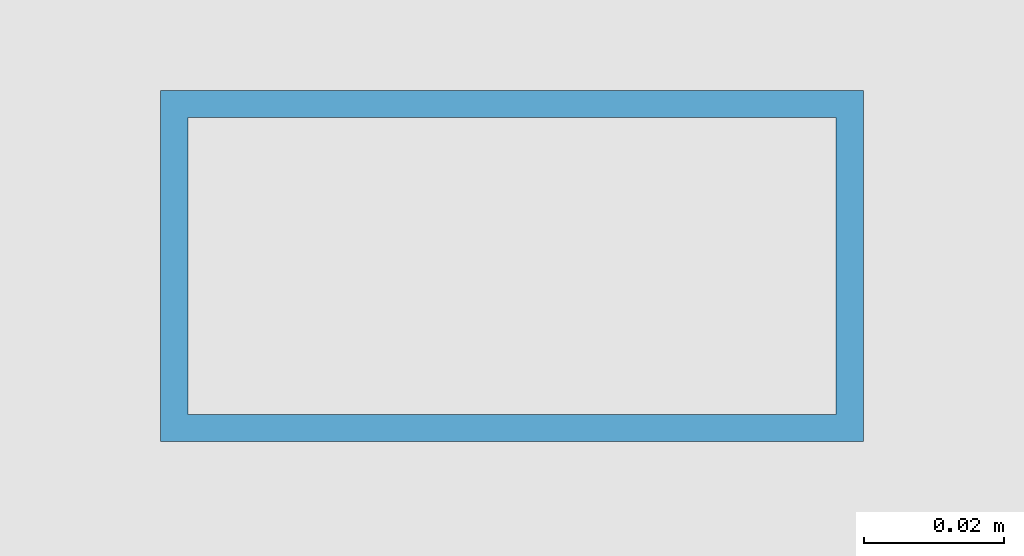
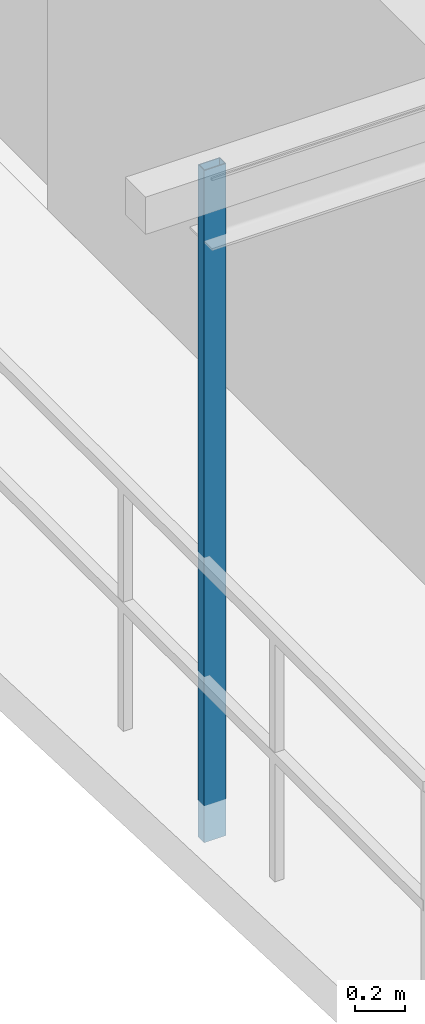
# One storey, part 3 of 15: 1 member.
"""IFC4 building model written with IfcOpenShell, lengths in metres."""

from ifc_helpers import new_model, si_unit, direction, frame, origin, origin_2d, place, context, subcontext, project, spatial, hollow_rectangle, extrude, source, transform, mapped, material, material_profile, profile_set, type_object, element, save


model = new_model("IFC4")

# Units and contexts
model_context = context("Model", 3, precision=1e-05, world=origin(), true_north=direction((0.0, 1.0)))
body_context = subcontext(model_context, "Body", "Model", "MODEL_VIEW")
ifc_project = project(units=[si_unit("LENGTHUNIT", "METRE"), si_unit("AREAUNIT", "SQUARE_METRE"), si_unit("VOLUMEUNIT", "CUBIC_METRE"), si_unit("PLANEANGLEUNIT", "RADIAN"), si_unit("MASSUNIT", "GRAM", prefix="KILO"), si_unit("THERMODYNAMICTEMPERATUREUNIT", "KELVIN"), si_unit("POWERUNIT", "WATT")], contexts=[model_context])

# Site, building, storey
site_placement = place(None, origin())
site = spatial("IfcSite", under=ifc_project, at=site_placement, CompositionType="ELEMENT")
building_placement = place(site_placement, origin())
building = spatial("IfcBuilding", under=site, at=building_placement, Name="Qiaomeng Ring Towers", CompositionType="ELEMENT")
storey_placement = place(building_placement, frame((0.0, 0.0, 213.25)))
storey = spatial("IfcBuildingStorey", under=building, at=storey_placement, Name="L62", CompositionType="ELEMENT", Elevation=213.25)

# Member
ifc_material = material(Name="Stainless steel 316", Category="steel")
ifc_material_profile = material_profile(ifc_material, hollow_rectangle(XDim=0.050048828125, YDim=0.10009765625, WallThickness=0.00390625, at=origin_2d()), Name="SS TRELLIS 100x50")
ifc_profile_set = profile_set([ifc_material_profile], Name="Stainless steel 316")
member_type = type_object("IfcMemberType", Name="ARC-TR-POST2", PredefinedType="STUD", material=ifc_profile_set)
shared_shape = source(origin(), body_context, "Body", "SweptSolid", [
    extrude(hollow_rectangle(XDim=0.050048828125, YDim=0.10009765625, WallThickness=0.00390625, at=origin_2d()), origin(), (0.0, 0.0, 1.0), 3.25),
])
member_placement = place(storey_placement, frame((0.72998046875, 20.0, -0.179931640625), z_axis=(0.0, 0.0, 1.0), x_axis=(0.0, 1.0, 0.0)))
element("IfcMember", 1, at=member_placement, inside=storey, type_object=member_type, Name="L62 Outer Ventilated Trellis Post W", PredefinedType="STUD", context=body_context, shape_type="MappedRepresentation", body=[
    mapped(shared_shape, transform((0.0, 0.0, 0.0), x_axis=(1.0, 0.0, 0.0), y_axis=(0.0, 1.0, 0.0), z_axis=(0.0, 0.0, 1.0), scale=1.0)),
])

save(model, "model.ifc")
